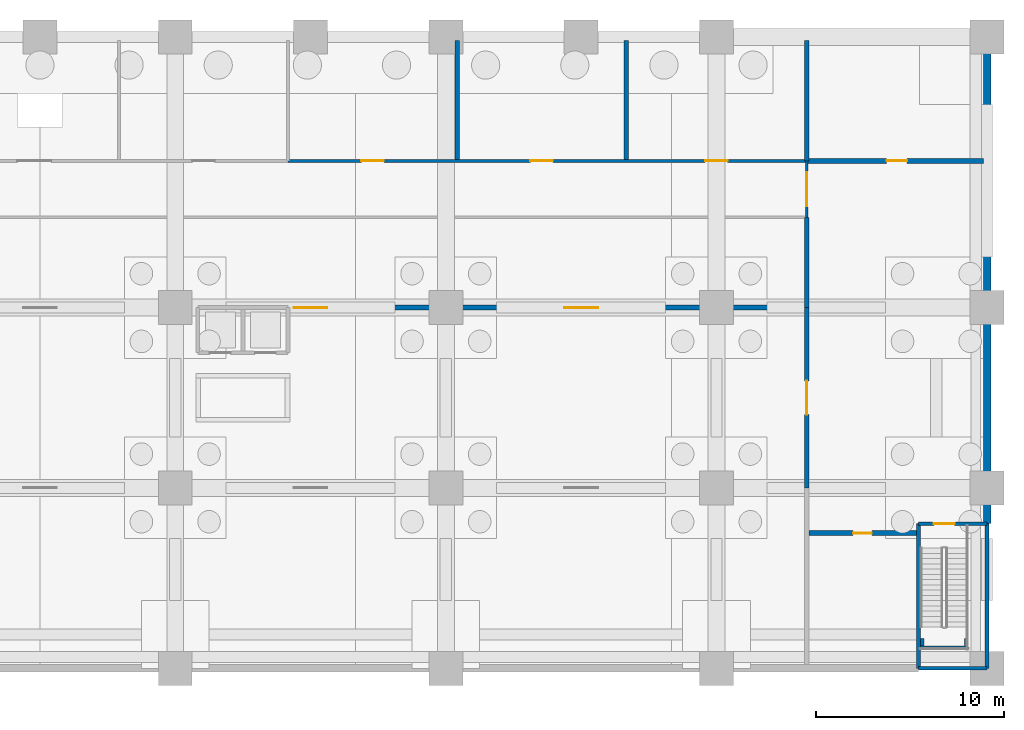
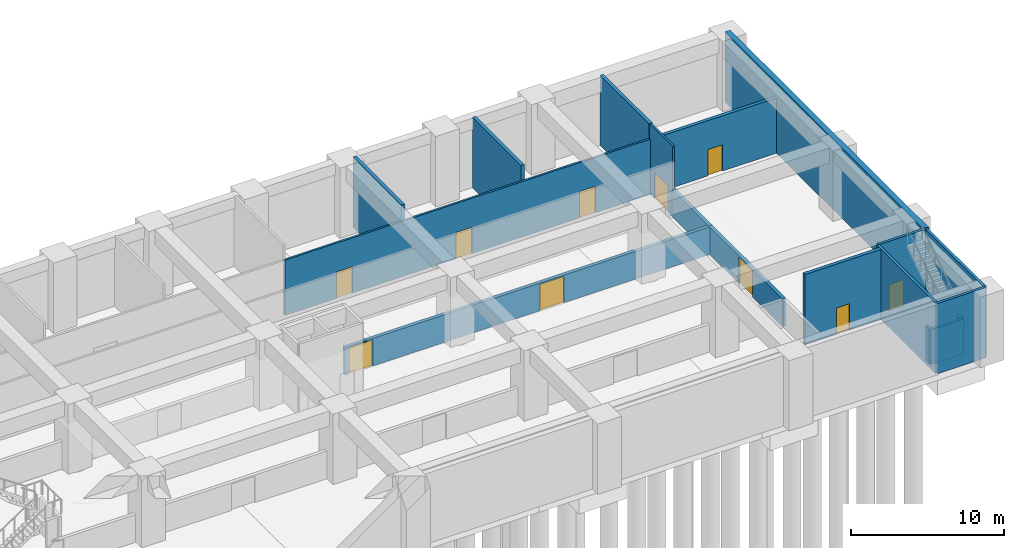
# One storey, part 7 of 13: 18 walls, 10 doors, 10 openings.
"""IFC4 building model written with IfcOpenShell, lengths in metres."""

from ifc_helpers import new_model, si_unit, direction, frame, frame_2d, origin, place, context, subcontext, project, spatial, rectangle, extrude, material, layer, layer_set, type_object, element, fill, save


model = new_model("IFC4")

# Units and contexts
model_context = context("Model", 3, precision=1e-05, world=origin(), true_north=direction((0.0, 1.0)))
body_context = subcontext(model_context, "Body", "Model", "MODEL_VIEW")
ifc_project = project(units=[si_unit("LENGTHUNIT", "METRE"), si_unit("AREAUNIT", "SQUARE_METRE"), si_unit("VOLUMEUNIT", "CUBIC_METRE"), si_unit("PLANEANGLEUNIT", "RADIAN"), si_unit("MASSUNIT", "GRAM", prefix="KILO")], contexts=[model_context])

# Site, building, storey
site_placement = place(None, origin())
site = spatial("IfcSite", under=ifc_project, at=site_placement, CompositionType="ELEMENT")
building_placement = place(site_placement, origin())
building = spatial("IfcBuilding", under=site, at=building_placement, Name="Saffron Iwan Residences", CompositionType="ELEMENT")
storey_placement = place(building_placement, frame((0.0, 0.0, -11.39990234375)))
storey = spatial("IfcBuildingStorey", under=building, at=storey_placement, Name="B2", CompositionType="ELEMENT", Elevation=-11.39990234375)

# Wall
ifc_material_1 = material(Name="Concrete C40/50", Category="concrete")
ifc_layer_1 = layer(ifc_material_1, 0.39990234375)
ifc_layer_set_1 = layer_set([ifc_layer_1], Name="Concrete C40/50")
wall_type_1 = type_object("IfcWallType", Name="Basement wall 400", PredefinedType="SOLIDWALL", material=ifc_layer_set_1)
wall_1_placement = place(storey_placement, frame((100.800048828125, 7.699951171875, 0.0), z_axis=(0.0, 0.0, 1.0), x_axis=(0.0, 1.0, 0.0)))
element("IfcWall", 1, at=wall_1_placement, inside=storey, type_object=wall_type_1, Name="W-B2-044", PredefinedType="SOLIDWALL", context=body_context, shape_type="SweptSolid", body=[
    extrude(rectangle(XDim=25.900146484375, YDim=0.39990234375, at=frame_2d((12.9501953125, 0.0))), origin(), (0.0, 0.0, 1.0), 5.599853515625),
])

# Wall, openings, doors
ifc_material_2 = material(Name="Concrete blockwork", Category="masonry")
ifc_layer_2 = layer(ifc_material_2, 0.14990234375)
ifc_layer_set_2 = layer_set([ifc_layer_2], Name="Concrete blockwork")
wall_type_2 = type_object("IfcWallType", Name="Blockwork partition 150", PredefinedType="PARTITIONING", material=ifc_layer_set_2)
wall_2_placement = place(storey_placement, frame((63.60009765625, 27.0, 0.0), z_axis=(0.0, 0.0, 1.0), x_axis=(1.0, 0.0, 0.0)))
wall_2 = element("IfcWall", 2, at=wall_2_placement, inside=storey, type_object=wall_type_2, Name="W-B2-014", PredefinedType="PARTITIONING", context=body_context, shape_type="SweptSolid", body=[
    extrude(rectangle(XDim=27.599853515625, YDim=0.14990234375, at=frame_2d((13.7998046875, 0.0))), origin(), (0.0, 0.0, 1.0), 4.39990234375),
])
opening_1_placement = place(wall_2_placement, frame((3.89990234375, 0.0, 0.0)))
opening_1 = element("IfcOpeningElement", 3, at=opening_1_placement, cuts=wall_2, Name="Opening B2.09", PredefinedType="OPENING", context=body_context, shape_type="SweptSolid", body=[
    extrude(rectangle(XDim=1.199951171875, YDim=2.10009765625, at=frame_2d((0.60009765625, 1.050048828125))), frame((0.0, 0.0849609375, 0.0), z_axis=(0.0, -1.0, 0.0), x_axis=(1.0, 0.0, 0.0)), (0.0, 0.0, 1.0), 0.169921875),
])
opening_2_placement = place(wall_2_placement, frame((12.89990234375, 0.0, 0.0)))
opening_2 = element("IfcOpeningElement", 4, at=opening_2_placement, cuts=wall_2, Name="Opening B2.10", PredefinedType="OPENING", context=body_context, shape_type="SweptSolid", body=[
    extrude(rectangle(XDim=1.199951171875, YDim=2.10009765625, at=frame_2d((0.60009765625, 1.050048828125))), frame((0.0, 0.0849609375, 0.0), z_axis=(0.0, -1.0, 0.0), x_axis=(1.0, 0.0, 0.0)), (0.0, 0.0, 1.0), 0.169921875),
])
opening_3_placement = place(wall_2_placement, frame((22.199951171875, 0.0, 0.0)))
opening_3 = element("IfcOpeningElement", 5, at=opening_3_placement, cuts=wall_2, Name="Opening B2.11", PredefinedType="OPENING", context=body_context, shape_type="SweptSolid", body=[
    extrude(rectangle(XDim=1.199951171875, YDim=2.10009765625, at=frame_2d((0.60009765625, 1.050048828125))), frame((0.0, 0.0849609375, 0.0), z_axis=(0.0, -1.0, 0.0), x_axis=(1.0, 0.0, 0.0)), (0.0, 0.0, 1.0), 0.169921875),
])
ifc_material_3 = material(Name="Timber", Category="wood")
door_type_1 = type_object("IfcDoorType", Name="Door 1200x2100", OperationType="NOTDEFINED", PredefinedType="DOOR", material=ifc_material_3)
door_1_placement = place(opening_1_placement, origin())
door_1 = element("IfcDoor", 6, at=door_1_placement, inside=storey, type_object=door_type_1, Name="D-B2-009", OperationType="SINGLE_SWING_LEFT", OverallHeight=2.10009765625, OverallWidth=1.199951171875, PredefinedType="DOOR", context=body_context, shape_type="SweptSolid", body=[
    extrude(rectangle(XDim=1.199951171875, YDim=2.10009765625, at=frame_2d((0.60009765625, 1.050048828125))), frame((0.0, 0.02490234375, 0.0), z_axis=(0.0, -1.0, 0.0), x_axis=(1.0, 0.0, 0.0)), (0.0, 0.0, 1.0), 0.050048828125),
])
fill(opening_1, door_1)
door_2_placement = place(opening_2_placement, origin())
door_2 = element("IfcDoor", 7, at=door_2_placement, inside=storey, type_object=door_type_1, Name="D-B2-010", OperationType="SINGLE_SWING_LEFT", OverallHeight=2.10009765625, OverallWidth=1.199951171875, PredefinedType="DOOR", context=body_context, shape_type="SweptSolid", body=[
    extrude(rectangle(XDim=1.199951171875, YDim=2.10009765625, at=frame_2d((0.60009765625, 1.050048828125))), frame((0.0, 0.02490234375, 0.0), z_axis=(0.0, -1.0, 0.0), x_axis=(1.0, 0.0, 0.0)), (0.0, 0.0, 1.0), 0.050048828125),
])
fill(opening_2, door_2)
door_3_placement = place(opening_3_placement, origin())
door_3 = element("IfcDoor", 8, at=door_3_placement, inside=storey, type_object=door_type_1, Name="D-B2-011", OperationType="SINGLE_SWING_RIGHT", OverallHeight=2.10009765625, OverallWidth=1.199951171875, PredefinedType="DOOR", context=body_context, shape_type="SweptSolid", body=[
    extrude(rectangle(XDim=1.199951171875, YDim=2.10009765625, at=frame_2d((0.60009765625, 1.050048828125))), frame((0.0, 0.02490234375, 0.0), z_axis=(0.0, -1.0, 0.0), x_axis=(1.0, 0.0, 0.0)), (0.0, 0.0, 1.0), 0.050048828125),
])
fill(opening_3, door_3)

# Wall, opening, door
wall_3_placement = place(storey_placement, frame((91.199951171875, 24.0, 0.0), z_axis=(0.0, 0.0, 1.0), x_axis=(0.0, 1.0, 0.0)))
wall_3 = element("IfcWall", 9, at=wall_3_placement, inside=storey, type_object=wall_type_2, Name="W-B2-038", PredefinedType="PARTITIONING", context=body_context, shape_type="SweptSolid", body=[
    extrude(rectangle(XDim=3.0, YDim=0.14990234375, at=frame_2d((1.5, 0.0))), origin(), (0.0, 0.0, 1.0), 5.599853515625),
])
opening_4_placement = place(wall_3_placement, frame((0.60009765625, 0.0, 0.0)))
opening_4 = element("IfcOpeningElement", 10, at=opening_4_placement, cuts=wall_3, Name="Opening B2.13", PredefinedType="OPENING", context=body_context, shape_type="SweptSolid", body=[
    extrude(rectangle(XDim=1.800048828125, YDim=2.10009765625, at=frame_2d((0.89990234375, 1.050048828125))), frame((0.0, 0.0849609375, 0.0), z_axis=(0.0, -1.0, 0.0), x_axis=(1.0, 0.0, 0.0)), (0.0, 0.0, 1.0), 0.169921875),
])
door_type_2 = type_object("IfcDoorType", Name="Door 1800x2100", OperationType="DOUBLE_DOOR_SINGLE_SWING", PredefinedType="DOOR", material=ifc_material_3)
door_4_placement = place(opening_4_placement, origin())
door_4 = element("IfcDoor", 11, at=door_4_placement, inside=storey, type_object=door_type_2, Name="D-B2-013", OperationType="DOUBLE_DOOR_SINGLE_SWING", OverallHeight=2.10009765625, OverallWidth=1.800048828125, PredefinedType="DOOR", context=body_context, shape_type="SweptSolid", body=[
    extrude(rectangle(XDim=1.800048828125, YDim=2.10009765625, at=frame_2d((0.89990234375, 1.050048828125))), frame((0.0, 0.02490234375, 0.0), z_axis=(0.0, -1.0, 0.0), x_axis=(1.0, 0.0, 0.0)), (0.0, 0.0, 1.0), 0.050048828125),
])
fill(opening_4, door_4)

ifc_layer_3 = layer(ifc_material_1, 0.25)
ifc_layer_set_3 = layer_set([ifc_layer_3], Name="Concrete C40/50")
wall_type_3 = type_object("IfcWallType", Name="Fire compartment wall 250", PredefinedType="SOLIDWALL", material=ifc_layer_set_3)
wall_4_placement = place(storey_placement, frame((91.324951171875, 7.199951171875, 0.0), z_axis=(0.0, 0.0, 1.0), x_axis=(1.0, 0.0, 0.0)))
wall_4 = element("IfcWall", 12, at=wall_4_placement, inside=storey, type_object=wall_type_3, Name="W-B2-005", PredefinedType="SOLIDWALL", context=body_context, shape_type="SweptSolid", body=[
    extrude(rectangle(XDim=5.72509765625, YDim=0.25, at=frame_2d((2.862548828125, 0.0))), origin(), (0.0, 0.0, 1.0), 5.599853515625),
])
opening_5_placement = place(wall_4_placement, frame((2.35009765625, 0.0, 0.0)))
opening_5 = element("IfcOpeningElement", 13, at=opening_5_placement, cuts=wall_4, Name="Opening B2.17", PredefinedType="OPENING", context=body_context, shape_type="SweptSolid", body=[
    extrude(rectangle(XDim=1.0, YDim=2.10009765625, at=frame_2d((0.5, 1.050048828125))), frame((0.0, 0.135009765625, 0.0), z_axis=(0.0, -1.0, 0.0), x_axis=(1.0, 0.0, 0.0)), (0.0, 0.0, 1.0), 0.27001953125),
])
door_type_3 = type_object("IfcDoorType", Name="Door 1000x2100", OperationType="NOTDEFINED", PredefinedType="DOOR", material=ifc_material_3)
door_5_placement = place(opening_5_placement, origin())
door_5 = element("IfcDoor", 14, at=door_5_placement, inside=storey, type_object=door_type_3, Name="D-B2-017", OperationType="SINGLE_SWING_LEFT", OverallHeight=2.10009765625, OverallWidth=1.0, PredefinedType="DOOR", context=body_context, shape_type="SweptSolid", body=[
    extrude(rectangle(XDim=1.0, YDim=2.10009765625, at=frame_2d((0.5, 1.050048828125))), frame((0.0, 0.02490234375, 0.0), z_axis=(0.0, -1.0, 0.0), x_axis=(1.0, 0.0, 0.0)), (0.0, 0.0, 1.0), 0.050048828125),
])
fill(opening_5, door_5)

# Wall, openings, doors
wall_5_placement = place(storey_placement, frame((63.60009765625, 19.199951171875, 0.0), z_axis=(0.0, 0.0, 1.0), x_axis=(1.0, 0.0, 0.0)))
wall_5 = element("IfcWall", 15, at=wall_5_placement, inside=storey, type_object=wall_type_3, Name="W-B2-012", PredefinedType="SOLIDWALL", context=body_context, shape_type="SweptSolid", body=[
    extrude(rectangle(XDim=27.599853515625, YDim=0.25, at=frame_2d((13.7998046875, 0.0))), origin(), (0.0, 0.0, 1.0), 2.199951171875),
])
opening_6_placement = place(wall_5_placement, frame((0.300048828125, 0.0, 0.0)))
opening_6 = element("IfcOpeningElement", 16, at=opening_6_placement, cuts=wall_5, Name="Opening B2.27", PredefinedType="OPENING", context=body_context, shape_type="SweptSolid", body=[
    extrude(rectangle(XDim=1.800048828125, YDim=2.10009765625, at=frame_2d((0.89990234375, 1.050048828125))), frame((0.0, 0.135009765625, 0.0), z_axis=(0.0, -1.0, 0.0), x_axis=(1.0, 0.0, 0.0)), (0.0, 0.0, 1.0), 0.27001953125),
])
opening_7_placement = place(wall_5_placement, frame((14.699951171875, 0.0, 0.0)))
opening_7 = element("IfcOpeningElement", 17, at=opening_7_placement, cuts=wall_5, Name="Opening B2.29", PredefinedType="OPENING", context=body_context, shape_type="SweptSolid", body=[
    extrude(rectangle(XDim=1.800048828125, YDim=2.10009765625, at=frame_2d((0.89990234375, 1.050048828125))), frame((0.0, 0.135009765625, 0.0), z_axis=(0.0, -1.0, 0.0), x_axis=(1.0, 0.0, 0.0)), (0.0, 0.0, 1.0), 0.27001953125),
])
ifc_material_4 = material(Name="Glass", Category="glass")
door_type_4 = type_object("IfcDoorType", Name="Platform screen door 1800", OperationType="SLIDING_TO_LEFT", PredefinedType="DOOR", material=ifc_material_4)
door_6_placement = place(opening_6_placement, origin())
door_6 = element("IfcDoor", 18, at=door_6_placement, inside=storey, type_object=door_type_4, Name="D-B2-027", OperationType="SLIDING_TO_LEFT", OverallHeight=2.10009765625, OverallWidth=1.800048828125, PredefinedType="DOOR", context=body_context, shape_type="SweptSolid", body=[
    extrude(rectangle(XDim=1.800048828125, YDim=2.10009765625, at=frame_2d((0.89990234375, 1.050048828125))), frame((0.0, 0.02490234375, 0.0), z_axis=(0.0, -1.0, 0.0), x_axis=(1.0, 0.0, 0.0)), (0.0, 0.0, 1.0), 0.050048828125),
])
fill(opening_6, door_6)
door_7_placement = place(opening_7_placement, origin())
door_7 = element("IfcDoor", 19, at=door_7_placement, inside=storey, type_object=door_type_4, Name="D-B2-029", OperationType="SLIDING_TO_LEFT", OverallHeight=2.10009765625, OverallWidth=1.800048828125, PredefinedType="DOOR", context=body_context, shape_type="SweptSolid", body=[
    extrude(rectangle(XDim=1.800048828125, YDim=2.10009765625, at=frame_2d((0.89990234375, 1.050048828125))), frame((0.0, 0.02490234375, 0.0), z_axis=(0.0, -1.0, 0.0), x_axis=(1.0, 0.0, 0.0)), (0.0, 0.0, 1.0), 0.050048828125),
])
fill(opening_7, door_7)

# Wall, opening, door
wall_6_placement = place(storey_placement, frame((91.199951171875, 27.0, 0.0), z_axis=(0.0, 0.0, 1.0), x_axis=(1.0, 0.0, 0.0)))
wall_6 = element("IfcWall", 20, at=wall_6_placement, inside=storey, type_object=wall_type_3, Name="W-B2-017", PredefinedType="SOLIDWALL", context=body_context, shape_type="SweptSolid", body=[
    extrude(rectangle(XDim=9.400146484375, YDim=0.25, at=frame_2d((4.7001953125, 0.0))), origin(), (0.0, 0.0, 1.0), 4.39990234375),
])
opening_8_placement = place(wall_6_placement, frame((4.25, 0.0, 0.0)))
opening_8 = element("IfcOpeningElement", 21, at=opening_8_placement, cuts=wall_6, Name="Opening B2.19", PredefinedType="OPENING", context=body_context, shape_type="SweptSolid", body=[
    extrude(rectangle(XDim=1.10009765625, YDim=2.10009765625, at=frame_2d((0.550048828125, 1.050048828125))), frame((0.0, 0.135009765625, 0.0), z_axis=(0.0, -1.0, 0.0), x_axis=(1.0, 0.0, 0.0)), (0.0, 0.0, 1.0), 0.27001953125),
])
door_type_5 = type_object("IfcDoorType", Name="Door 1100x2100", OperationType="NOTDEFINED", PredefinedType="DOOR", material=ifc_material_3)
door_8_placement = place(opening_8_placement, origin())
door_8 = element("IfcDoor", 22, at=door_8_placement, inside=storey, type_object=door_type_5, Name="D-B2-019", OperationType="SINGLE_SWING_RIGHT", OverallHeight=2.10009765625, OverallWidth=1.10009765625, PredefinedType="DOOR", context=body_context, shape_type="SweptSolid", body=[
    extrude(rectangle(XDim=1.10009765625, YDim=2.10009765625, at=frame_2d((0.550048828125, 1.050048828125))), frame((0.0, 0.02490234375, 0.0), z_axis=(0.0, -1.0, 0.0), x_axis=(1.0, 0.0, 0.0)), (0.0, 0.0, 1.0), 0.050048828125),
])
fill(opening_8, door_8)

# Walls
for number, where, z_axis, x_axis, name in (
    (23, (72.60009765625, 27.074951171875, 0.0), (0.0, 0.0, 1.0), (0.0, 1.0, 0.0), "W-B2-036"),
    (24, (81.60009765625, 27.074951171875, 0.0), (0.0, 0.0, 1.0), (0.0, 1.0, 0.0), "W-B2-037"),
):
    element("IfcWall", number, at=place(storey_placement, frame(where, z_axis=z_axis, x_axis=x_axis)), inside=storey, type_object=wall_type_3, Name=name, PredefinedType="SOLIDWALL", context=body_context, shape_type="SweptSolid", body=[
        extrude(rectangle(XDim=6.324951171875, YDim=0.25, at=frame_2d((3.16259765625, 0.0))), origin(), (0.0, 0.0, 1.0), 5.599853515625),
    ])
wall_7_placement = place(storey_placement, frame((91.199951171875, 19.199951171875, 0.0), z_axis=(0.0, 0.0, 1.0), x_axis=(0.0, 1.0, 0.0)))
element("IfcWall", 25, at=wall_7_placement, inside=storey, type_object=wall_type_3, Name="W-B2-040", PredefinedType="SOLIDWALL", context=body_context, shape_type="SweptSolid", body=[
    extrude(rectangle(XDim=4.800048828125, YDim=0.25, at=frame_2d((2.39990234375, 0.0))), origin(), (0.0, 0.0, 1.0), 2.199951171875),
])
wall_8_placement = place(storey_placement, frame((91.199951171875, 27.0, 0.0), z_axis=(0.0, 0.0, 1.0), x_axis=(0.0, 1.0, 0.0)))
element("IfcWall", 26, at=wall_8_placement, inside=storey, type_object=wall_type_3, Name="W-B2-041", PredefinedType="SOLIDWALL", context=body_context, shape_type="SweptSolid", body=[
    extrude(rectangle(XDim=6.39990234375, YDim=0.25, at=frame_2d((3.199951171875, 0.0))), origin(), (0.0, 0.0, 1.0), 5.599853515625),
])

# Wall, opening, door
wall_9_placement = place(storey_placement, frame((91.199951171875, 9.60009765625, 0.0), z_axis=(0.0, 0.0, 1.0), x_axis=(0.0, 1.0, 0.0)))
wall_9 = element("IfcWall", 27, at=wall_9_placement, inside=storey, type_object=wall_type_3, Name="W-B2-042", PredefinedType="SOLIDWALL", context=body_context, shape_type="SweptSolid", body=[
    extrude(rectangle(XDim=9.599853515625, YDim=0.25, at=frame_2d((4.7998046875, 0.0))), origin(), (0.0, 0.0, 1.0), 2.199951171875),
])
opening_9_placement = place(wall_9_placement, frame((3.89990234375, 0.0, 0.0)))
opening_9 = element("IfcOpeningElement", 28, at=opening_9_placement, cuts=wall_9, Name="Opening B2.15", PredefinedType="OPENING", context=body_context, shape_type="SweptSolid", body=[
    extrude(rectangle(XDim=1.800048828125, YDim=2.10009765625, at=frame_2d((0.89990234375, 1.050048828125))), frame((0.0, 0.135009765625, 0.0), z_axis=(0.0, -1.0, 0.0), x_axis=(1.0, 0.0, 0.0)), (0.0, 0.0, 1.0), 0.27001953125),
])
ifc_material_5 = material(Name="Steel", Category="steel")
door_type_6 = type_object("IfcDoorType", Name="Fire door 1800x2100", OperationType="DOUBLE_DOOR_SINGLE_SWING", PredefinedType="DOOR", material=ifc_material_5)
door_9_placement = place(opening_9_placement, origin())
door_9 = element("IfcDoor", 29, at=door_9_placement, inside=storey, type_object=door_type_6, Name="D-B2-015", OperationType="DOUBLE_DOOR_SINGLE_SWING", OverallHeight=2.10009765625, OverallWidth=1.800048828125, PredefinedType="DOOR", context=body_context, shape_type="SweptSolid", body=[
    extrude(rectangle(XDim=1.800048828125, YDim=2.10009765625, at=frame_2d((0.89990234375, 1.050048828125))), frame((0.0, 0.02490234375, 0.0), z_axis=(0.0, -1.0, 0.0), x_axis=(1.0, 0.0, 0.0)), (0.0, 0.0, 1.0), 0.050048828125),
])
fill(opening_9, door_9)

# Walls
ifc_layer_4 = layer(ifc_material_1, 0.199951171875)
ifc_layer_set_4 = layer_set([ifc_layer_4], Name="Concrete C40/50")
wall_type_4 = type_object("IfcWallType", Name="Landing support wall, reinforced concrete 200", PredefinedType="SOLIDWALL", material=ifc_layer_set_4)
for number, where, z_axis, x_axis, name in (
    (30, (97.35009765625, 1.199951171875, 0.0), (0.0, 0.0, 1.0), (0.0, 1.0, 0.0), "SE2 landing support wall"),
    (31, (99.699951171875, 1.199951171875, 0.0), (0.0, 0.0, 1.0), (0.0, 1.0, 0.0), "SE2 landing support wall"),
):
    element("IfcWall", number, at=place(storey_placement, frame(where, z_axis=z_axis, x_axis=x_axis)), inside=storey, type_object=wall_type_4, Name=name, PredefinedType="SOLIDWALL", context=body_context, shape_type="SweptSolid", body=[
        extrude(rectangle(XDim=0.400146484375, YDim=0.199951171875, at=frame_2d((0.2001953125, 0.0))), origin(), (0.0, 0.0, 1.0), 2.7998046875),
    ])
wall_10_placement = place(storey_placement, frame((97.25, 1.10009765625, 0.0), z_axis=(0.0, 0.0, 1.0), x_axis=(1.0, 0.0, 0.0)))
element("IfcWall", 32, at=wall_10_placement, inside=storey, type_object=wall_type_4, Name="SE2 landing support wall", PredefinedType="SOLIDWALL", context=body_context, shape_type="SweptSolid", body=[
    extrude(rectangle(XDim=2.550048828125, YDim=0.199951171875, at=frame_2d((1.27490234375, 0.0))), origin(), (0.0, 0.0, 1.0), 2.7998046875),
])
ifc_layer_5 = layer(ifc_material_1, 0.199951171875)
ifc_layer_set_5 = layer_set([ifc_layer_5], Name="Concrete C40/50")
wall_type_5 = type_object("IfcWallType", Name="Reinforced concrete stair wall 200", PredefinedType="SOLIDWALL", material=ifc_layer_set_5)
wall_11_placement = place(storey_placement, frame((97.14990234375, 0.0, 0.0), z_axis=(0.0, 0.0, 1.0), x_axis=(1.0, 0.0, 0.0)))
element("IfcWall", 33, at=wall_11_placement, inside=storey, type_object=wall_type_5, Name="W-B2-003", PredefinedType="SOLIDWALL", context=body_context, shape_type="SweptSolid", body=[
    extrude(rectangle(XDim=3.650146484375, YDim=0.199951171875, at=frame_2d((1.8251953125, 0.0))), origin(), (0.0, 0.0, 1.0), 5.599853515625),
])

# Wall, opening, door
wall_12_placement = place(storey_placement, frame((97.14990234375, 7.699951171875, 0.0), z_axis=(0.0, 0.0, 1.0), x_axis=(1.0, 0.0, 0.0)))
wall_12 = element("IfcWall", 34, at=wall_12_placement, inside=storey, type_object=wall_type_5, Name="W-B2-007", PredefinedType="SOLIDWALL", context=body_context, shape_type="SweptSolid", body=[
    extrude(rectangle(XDim=3.650146484375, YDim=0.199951171875, at=frame_2d((1.8251953125, 0.0))), origin(), (0.0, 0.0, 1.0), 5.599853515625),
])
opening_10_placement = place(wall_12_placement, frame((0.824951171875, 0.0, 0.0)))
opening_10 = element("IfcOpeningElement", 35, at=opening_10_placement, cuts=wall_12, Name="Opening B2.31", PredefinedType="OPENING", context=body_context, shape_type="SweptSolid", body=[
    extrude(rectangle(XDim=1.10009765625, YDim=2.10009765625, at=frame_2d((0.550048828125, 1.050048828125))), frame((0.0, 0.10986328125, 0.0), z_axis=(0.0, -1.0, 0.0), x_axis=(1.0, 0.0, 0.0)), (0.0, 0.0, 1.0), 0.219970703125),
])
door_type_7 = type_object("IfcDoorType", Name="Fire door 1100x2100", OperationType="NOTDEFINED", PredefinedType="DOOR", material=ifc_material_5)
door_10_placement = place(opening_10_placement, origin())
door_10 = element("IfcDoor", 36, at=door_10_placement, inside=storey, type_object=door_type_7, Name="D-B2-031", OperationType="SINGLE_SWING_LEFT", OverallHeight=2.10009765625, OverallWidth=1.10009765625, PredefinedType="DOOR", context=body_context, shape_type="SweptSolid", body=[
    extrude(rectangle(XDim=1.10009765625, YDim=2.10009765625, at=frame_2d((0.550048828125, 1.050048828125))), frame((0.0, 0.02490234375, 0.0), z_axis=(0.0, -1.0, 0.0), x_axis=(1.0, 0.0, 0.0)), (0.0, 0.0, 1.0), 0.050048828125),
])
fill(opening_10, door_10)

# Walls
for number, where, z_axis, x_axis, name in (
    (37, (97.14990234375, 0.0, 0.0), (0.0, 0.0, 1.0), (0.0, 1.0, 0.0), "W-B2-043"),
    (38, (100.800048828125, 0.0, 0.0), (0.0, 0.0, 1.0), (0.0, 1.0, 0.0), "W-B2-045"),
):
    element("IfcWall", number, at=place(storey_placement, frame(where, z_axis=z_axis, x_axis=x_axis)), inside=storey, type_object=wall_type_5, Name=name, PredefinedType="SOLIDWALL", context=body_context, shape_type="SweptSolid", body=[
        extrude(rectangle(XDim=7.699951171875, YDim=0.199951171875, at=frame_2d((3.85009765625, 0.0))), origin(), (0.0, 0.0, 1.0), 5.599853515625),
    ])

save(model, "model.ifc")
